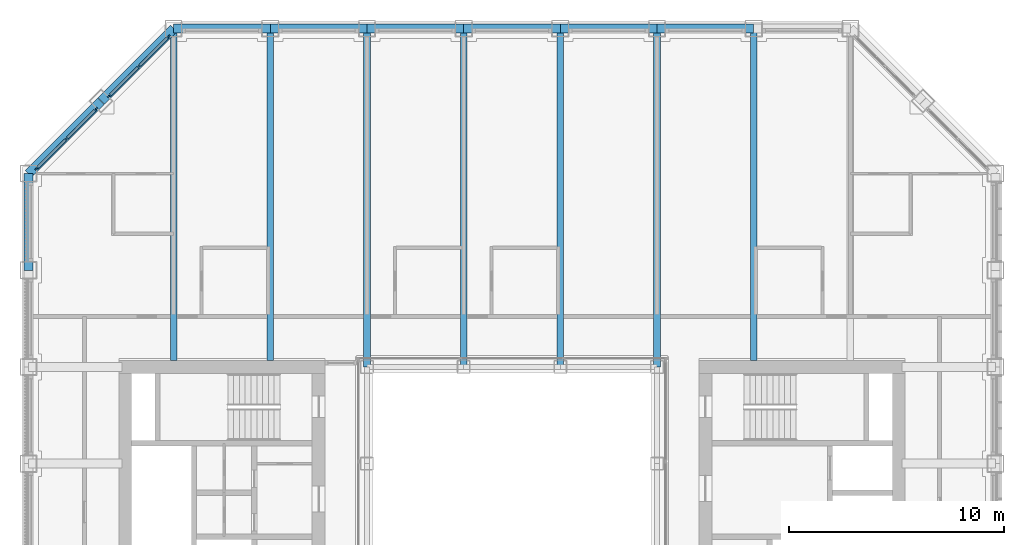
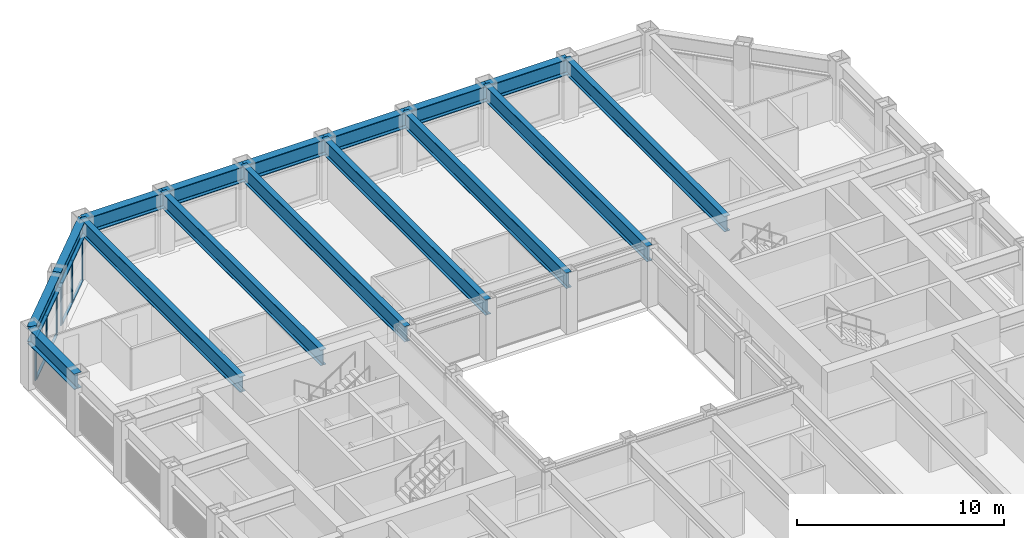
# One storey, part 7 of 17: 16 beams, 14 members, 2 elements without a shape of their own.
"""IFC4 building model written with IfcOpenShell, lengths in metres."""

from ifc_helpers import new_model, si_unit, direction, frame, origin, origin_2d, place, context, subcontext, project, spatial, rectangle, i_section, extrude, material, material_profile, profile_set, type_object, element, aggregate, save


model = new_model("IFC4")

# Units and contexts
model_context = context("Model", 3, precision=1e-05, world=origin(), true_north=direction((0.0, 1.0)))
body_context = subcontext(model_context, "Body", "Model", "MODEL_VIEW")
ifc_project = project(units=[si_unit("LENGTHUNIT", "METRE"), si_unit("AREAUNIT", "SQUARE_METRE"), si_unit("VOLUMEUNIT", "CUBIC_METRE"), si_unit("PLANEANGLEUNIT", "RADIAN"), si_unit("MASSUNIT", "GRAM", prefix="KILO")], contexts=[model_context])

# Site, building, storey
site_placement = place(None, origin())
site = spatial("IfcSite", under=ifc_project, at=site_placement, CompositionType="ELEMENT")
building_placement = place(site_placement, origin())
building = spatial("IfcBuilding", under=site, at=building_placement, Name="Msasa Ring Tower", CompositionType="ELEMENT")
storey_placement = place(building_placement, frame((0.0, 0.0, 168.800048828125)))
storey = spatial("IfcBuildingStorey", under=building, at=storey_placement, Name="L44", CompositionType="ELEMENT", Elevation=168.800048828125)

# Curtain wall, members
ifc_material_1 = material(Name="Aluminium curtain wall with clear glass", Category="aluminium")
curtain_wall_type = type_object("IfcCurtainWallType", Name="CW-C CHAMFER CORNER CURTAIN WALL", PredefinedType="NOTDEFINED", material=ifc_material_1)
curtain_wall_1_placement = place(storey_placement, origin())
curtain_wall_1 = element("IfcCurtainWall", 1, at=curtain_wall_1_placement, inside=storey, type_object=curtain_wall_type, Name="Chamfer corner curtain wall NW L44", PredefinedType="NOTDEFINED")
ifc_material_2 = material(Name="Aluminium mullion", Category="aluminium")
ifc_material_profile_1 = material_profile(ifc_material_2, rectangle(XDim=0.06494140625, YDim=0.179931640625, at=origin_2d()), Name="AL 65x180")
ifc_profile_set_1 = profile_set([ifc_material_profile_1], Name="Aluminium mullion")
member_type_1 = type_object("IfcMemberType", Name="CW-C MULLION 65x180", PredefinedType="MULLION", material=ifc_profile_set_1)
member_1_placement = place(storey_placement, frame((-19.36376953125, 18.744873046875, 0.0), z_axis=(0.0, 0.0, 1.0), x_axis=(0.707106781187, -0.707106781187, 0.0)))
member_1 = element("IfcMember", 2, at=member_1_placement, type_object=member_type_1, Name="CW-C mullion 1", PredefinedType="MULLION", context=body_context, shape_type="SweptSolid", body=[
    extrude(rectangle(XDim=0.06494140625, YDim=0.179931640625, at=origin_2d()), origin(), (0.0, 0.0, 1.0), 2.47900390625),
])
member_2_placement = place(storey_placement, frame((-20.74169921875, 17.36669921875, 0.0), z_axis=(0.0, 0.0, 1.0), x_axis=(0.707106781187, -0.707106781187, 0.0)))
member_2 = element("IfcMember", 3, at=member_2_placement, type_object=member_type_1, Name="CW-C mullion 2", PredefinedType="MULLION", context=body_context, shape_type="SweptSolid", body=[
    extrude(rectangle(XDim=0.06494140625, YDim=0.179931640625, at=origin_2d()), origin(), (0.0, 0.0, 1.0), 2.47900390625),
])
member_3_placement = place(storey_placement, frame((-22.119873046875, 15.98876953125, 0.0), z_axis=(0.0, 0.0, 1.0), x_axis=(0.707106781187, -0.707106781187, 0.0)))
member_3 = element("IfcMember", 4, at=member_3_placement, type_object=member_type_1, Name="CW-C mullion 3", PredefinedType="MULLION", context=body_context, shape_type="SweptSolid", body=[
    extrude(rectangle(XDim=0.06494140625, YDim=0.179931640625, at=origin_2d()), origin(), (0.0, 0.0, 1.0), 2.47900390625),
])

curtain_wall_2_placement = place(storey_placement, origin())
curtain_wall_2 = element("IfcCurtainWall", 5, at=curtain_wall_2_placement, inside=storey, type_object=curtain_wall_type, Name="Chamfer corner curtain wall NW L44", PredefinedType="NOTDEFINED")
member_4_placement = place(storey_placement, frame((-15.98876953125, 22.119873046875, 0.0), z_axis=(0.0, 0.0, 1.0), x_axis=(0.707106781187, -0.707106781187, 0.0)))
member_4 = element("IfcMember", 6, at=member_4_placement, type_object=member_type_1, Name="CW-C mullion 1", PredefinedType="MULLION", context=body_context, shape_type="SweptSolid", body=[
    extrude(rectangle(XDim=0.06494140625, YDim=0.179931640625, at=origin_2d()), origin(), (0.0, 0.0, 1.0), 2.47900390625),
])
member_5_placement = place(storey_placement, frame((-17.36669921875, 20.74169921875, 0.0), z_axis=(0.0, 0.0, 1.0), x_axis=(0.707106781187, -0.707106781187, 0.0)))
member_5 = element("IfcMember", 7, at=member_5_placement, type_object=member_type_1, Name="CW-C mullion 2", PredefinedType="MULLION", context=body_context, shape_type="SweptSolid", body=[
    extrude(rectangle(XDim=0.06494140625, YDim=0.179931640625, at=origin_2d()), origin(), (0.0, 0.0, 1.0), 2.47900390625),
])
member_6_placement = place(storey_placement, frame((-18.744873046875, 19.36376953125, 0.0), z_axis=(0.0, 0.0, 1.0), x_axis=(0.707106781187, -0.707106781187, 0.0)))
member_6 = element("IfcMember", 8, at=member_6_placement, type_object=member_type_1, Name="CW-C mullion 3", PredefinedType="MULLION", context=body_context, shape_type="SweptSolid", body=[
    extrude(rectangle(XDim=0.06494140625, YDim=0.179931640625, at=origin_2d()), origin(), (0.0, 0.0, 1.0), 2.47900390625),
])

# Member
ifc_material_3 = material(Name="Aluminium transom", Category="aluminium")
ifc_material_profile_2 = material_profile(ifc_material_3, rectangle(XDim=0.139892578125, YDim=0.06494140625, at=origin_2d()), Name="AL 65x140")
ifc_profile_set_2 = profile_set([ifc_material_profile_2], Name="Aluminium transom")
member_type_2 = type_object("IfcMemberType", Name="CW-C TRANSOM 65x140", PredefinedType="USERDEFINED", material=ifc_profile_set_2)
member_7_placement = place(storey_placement, frame((-19.38671875, 18.721923828125, 0.032470703125), z_axis=(-0.707106781187, -0.707106781187, 0.0), x_axis=(0.707106781187, -0.707106781187, 0.0)))
member_7 = element("IfcMember", 9, at=member_7_placement, type_object=member_type_2, Name="CW-C transom 1.1", ObjectType="TRANSOM", PredefinedType="USERDEFINED", context=body_context, shape_type="SweptSolid", body=[
    extrude(rectangle(XDim=0.139892578125, YDim=0.06494140625, at=origin_2d()), origin(), (0.0, 0.0, 1.0), 1.8837890625),
])

member_8_placement = place(storey_placement, frame((-19.38671875, 18.721923828125, 2.446533203125), z_axis=(-0.707106781187, -0.707106781187, 0.0), x_axis=(0.707106781187, -0.707106781187, 0.0)))
member_8 = element("IfcMember", 10, at=member_8_placement, type_object=member_type_2, Name="CW-C transom 1.2", ObjectType="TRANSOM", PredefinedType="USERDEFINED", context=body_context, shape_type="SweptSolid", body=[
    extrude(rectangle(XDim=0.139892578125, YDim=0.06494140625, at=origin_2d()), origin(), (0.0, 0.0, 1.0), 1.8837890625),
])

member_9_placement = place(storey_placement, frame((-20.764892578125, 17.34375, 0.032470703125), z_axis=(-0.707106781187, -0.707106781187, 0.0), x_axis=(0.707106781187, -0.707106781187, 0.0)))
member_9 = element("IfcMember", 11, at=member_9_placement, type_object=member_type_2, Name="CW-C transom 2.1", ObjectType="TRANSOM", PredefinedType="USERDEFINED", context=body_context, shape_type="SweptSolid", body=[
    extrude(rectangle(XDim=0.139892578125, YDim=0.06494140625, at=origin_2d()), origin(), (0.0, 0.0, 1.0), 1.8837890625),
])

member_10_placement = place(storey_placement, frame((-20.764892578125, 17.34375, 2.446533203125), z_axis=(-0.707106781187, -0.707106781187, 0.0), x_axis=(0.707106781187, -0.707106781187, 0.0)))
member_10 = element("IfcMember", 12, at=member_10_placement, type_object=member_type_2, Name="CW-C transom 2.2", ObjectType="TRANSOM", PredefinedType="USERDEFINED", context=body_context, shape_type="SweptSolid", body=[
    extrude(rectangle(XDim=0.139892578125, YDim=0.06494140625, at=origin_2d()), origin(), (0.0, 0.0, 1.0), 1.8837890625),
])

aggregate(curtain_wall_1, [member_1, member_2, member_3, member_7, member_8, member_9, member_10])

member_11_placement = place(storey_placement, frame((-16.01171875, 22.096923828125, 0.032470703125), z_axis=(-0.707106781187, -0.707106781187, 0.0), x_axis=(0.707106781187, -0.707106781187, 0.0)))
member_11 = element("IfcMember", 13, at=member_11_placement, type_object=member_type_2, Name="CW-C transom 1.1", ObjectType="TRANSOM", PredefinedType="USERDEFINED", context=body_context, shape_type="SweptSolid", body=[
    extrude(rectangle(XDim=0.139892578125, YDim=0.06494140625, at=origin_2d()), origin(), (0.0, 0.0, 1.0), 1.8837890625),
])

member_12_placement = place(storey_placement, frame((-16.01171875, 22.096923828125, 2.446533203125), z_axis=(-0.707106781187, -0.707106781187, 0.0), x_axis=(0.707106781187, -0.707106781187, 0.0)))
member_12 = element("IfcMember", 14, at=member_12_placement, type_object=member_type_2, Name="CW-C transom 1.2", ObjectType="TRANSOM", PredefinedType="USERDEFINED", context=body_context, shape_type="SweptSolid", body=[
    extrude(rectangle(XDim=0.139892578125, YDim=0.06494140625, at=origin_2d()), origin(), (0.0, 0.0, 1.0), 1.8837890625),
])

member_13_placement = place(storey_placement, frame((-17.389892578125, 20.71875, 0.032470703125), z_axis=(-0.707106781187, -0.707106781187, 0.0), x_axis=(0.707106781187, -0.707106781187, 0.0)))
member_13 = element("IfcMember", 15, at=member_13_placement, type_object=member_type_2, Name="CW-C transom 2.1", ObjectType="TRANSOM", PredefinedType="USERDEFINED", context=body_context, shape_type="SweptSolid", body=[
    extrude(rectangle(XDim=0.139892578125, YDim=0.06494140625, at=origin_2d()), origin(), (0.0, 0.0, 1.0), 1.8837890625),
])

member_14_placement = place(storey_placement, frame((-17.389892578125, 20.71875, 2.446533203125), z_axis=(-0.707106781187, -0.707106781187, 0.0), x_axis=(0.707106781187, -0.707106781187, 0.0)))
member_14 = element("IfcMember", 16, at=member_14_placement, type_object=member_type_2, Name="CW-C transom 2.2", ObjectType="TRANSOM", PredefinedType="USERDEFINED", context=body_context, shape_type="SweptSolid", body=[
    extrude(rectangle(XDim=0.139892578125, YDim=0.06494140625, at=origin_2d()), origin(), (0.0, 0.0, 1.0), 1.8837890625),
])

aggregate(curtain_wall_2, [member_4, member_5, member_6, member_11, member_12, member_13, member_14])

# Beams
ifc_material_4 = material(Name="Steel S355", Category="steel")
ifc_material_profile_3 = material_profile(ifc_material_4, i_section(OverallWidth=0.3076171875, OverallDepth=0.926513671875, WebThickness=0.01953125, FlangeThickness=0.031982421875, FilletRadius=0.01904296875, at=origin_2d()), Name="UB 914x305x289")
ifc_profile_set_3 = profile_set([ifc_material_profile_3], Name="Steel S355")
beam_type_1 = type_object("IfcBeamType", Name="FB3 UB 914x305x289", PredefinedType="BEAM", material=ifc_profile_set_3)
for number, where, z_axis, x_axis, name in (
    (17, (-15.75, 22.5, 2.936767578125), (0.0, -1.0, 0.0), (1.0, 0.0, 0.0), "Floor beam N-15.75 under L45"),
    (18, (-11.25, 22.5, 2.936767578125), (0.0, -1.0, 0.0), (1.0, 0.0, 0.0), "Floor beam N-11.25 under L45"),
):
    element("IfcBeam", number, at=place(storey_placement, frame(where, z_axis=z_axis, x_axis=x_axis)), inside=storey, type_object=beam_type_1, Name=name, PredefinedType="BEAM", context=body_context, shape_type="SweptSolid", body=[
        extrude(i_section(OverallWidth=0.3076171875, OverallDepth=0.926513671875, WebThickness=0.01953125, FlangeThickness=0.031982421875, FilletRadius=0.01904296875, at=origin_2d()), origin(), (0.0, 0.0, 1.0), 15.449951171875),
    ])
for number, where, z_axis, x_axis, name in (
    (19, (-6.75, 22.5, 2.936767578125), (0.0, -1.0, 0.0), (1.0, 0.0, 0.0), "Floor beam N-6.75 under L45"),
    (20, (-2.25, 22.5, 2.936767578125), (0.0, -1.0, 0.0), (1.0, 0.0, 0.0), "Floor beam N-2.25 under L45"),
    (21, (2.25, 22.5, 2.936767578125), (0.0, -1.0, 0.0), (1.0, 0.0, 0.0), "Floor beam N+2.25 under L45"),
    (22, (6.75, 22.5, 2.936767578125), (0.0, -1.0, 0.0), (1.0, 0.0, 0.0), "Floor beam N+6.75 under L45"),
):
    element("IfcBeam", number, at=place(storey_placement, frame(where, z_axis=z_axis, x_axis=x_axis)), inside=storey, type_object=beam_type_1, Name=name, PredefinedType="BEAM", context=body_context, shape_type="SweptSolid", body=[
        extrude(i_section(OverallWidth=0.3076171875, OverallDepth=0.926513671875, WebThickness=0.01953125, FlangeThickness=0.031982421875, FilletRadius=0.01904296875, at=origin_2d()), origin(), (0.0, 0.0, 1.0), 15.75),
    ])
beam_1_placement = place(storey_placement, frame((11.25, 22.5, 2.936767578125), z_axis=(0.0, -1.0, 0.0), x_axis=(1.0, 0.0, 0.0)))
element("IfcBeam", 23, at=beam_1_placement, inside=storey, type_object=beam_type_1, Name="Floor beam N+11.25 under L45", PredefinedType="BEAM", context=body_context, shape_type="SweptSolid", body=[
    extrude(i_section(OverallWidth=0.3076171875, OverallDepth=0.926513671875, WebThickness=0.01953125, FlangeThickness=0.031982421875, FilletRadius=0.01904296875, at=origin_2d()), origin(), (0.0, 0.0, 1.0), 15.449951171875),
])
ifc_material_5 = material(Name="Steel S355", Category="steel")
ifc_material_profile_4 = material_profile(ifc_material_5, i_section(OverallWidth=0.42041015625, OverallDepth=0.9208984375, WebThickness=0.021484375, FlangeThickness=0.03662109375, FilletRadius=0.024169921875, at=origin_2d()), Name="UB 914x419x388")
ifc_profile_set_4 = profile_set([ifc_material_profile_4], Name="Steel S355")
beam_type_2 = type_object("IfcBeamType", Name="SB1 UB 914x419x388", PredefinedType="SPANDREL", material=ifc_profile_set_4)
for number, where, z_axis, x_axis, name in (
    (24, (11.25, 22.5, 2.939453125), (-1.0, 0.0, 0.0), (0.0, -1.0, 0.0), "Spandrel N+11.25 to N+6.75 under L45"),
    (25, (6.75, 22.5, 2.939453125), (-1.0, 0.0, 0.0), (0.0, -1.0, 0.0), "Spandrel N+6.75 to N+2.25 under L45"),
    (26, (2.25, 22.5, 2.939453125), (-1.0, 0.0, 0.0), (0.0, -1.0, 0.0), "Spandrel N+2.25 to N-2.25 under L45"),
    (27, (-2.25, 22.5, 2.939453125), (-1.0, 0.0, 0.0), (0.0, -1.0, 0.0), "Spandrel N-2.25 to N-6.75 under L45"),
    (28, (-6.75, 22.5, 2.939453125), (-1.0, 0.0, 0.0), (0.0, -1.0, 0.0), "Spandrel N-6.75 to N-11.25 under L45"),
    (29, (-11.25, 22.5, 2.939453125), (-1.0, 0.0, 0.0), (0.0, -1.0, 0.0), "Spandrel N-11.25 to N-15.75 under L45"),
):
    element("IfcBeam", number, at=place(storey_placement, frame(where, z_axis=z_axis, x_axis=x_axis)), inside=storey, type_object=beam_type_2, Name=name, PredefinedType="SPANDREL", context=body_context, shape_type="SweptSolid", body=[
        extrude(i_section(OverallWidth=0.42041015625, OverallDepth=0.9208984375, WebThickness=0.021484375, FlangeThickness=0.03662109375, FilletRadius=0.024169921875, at=origin_2d()), origin(), (0.0, 0.0, 1.0), 4.5),
    ])
for number, where, z_axis, x_axis, name in (
    (30, (-15.75, 22.5, 2.939453125), (-0.707106781187, -0.707106781187, 0.0), (0.707106781187, -0.707106781187, 0.0), "Spandrel N-15.75 to NW under L45"),
    (31, (-19.125, 19.125, 2.939453125), (-0.707106781187, -0.707106781187, 0.0), (0.707106781187, -0.707106781187, 0.0), "Spandrel NW to W+15.75 under L45"),
):
    element("IfcBeam", number, at=place(storey_placement, frame(where, z_axis=z_axis, x_axis=x_axis)), inside=storey, type_object=beam_type_2, Name=name, PredefinedType="SPANDREL", context=body_context, shape_type="SweptSolid", body=[
        extrude(i_section(OverallWidth=0.42041015625, OverallDepth=0.9208984375, WebThickness=0.021484375, FlangeThickness=0.03662109375, FilletRadius=0.024169921875, at=origin_2d()), origin(), (0.0, 0.0, 1.0), 4.77294921875),
    ])
beam_2_placement = place(storey_placement, frame((-22.5, 15.75, 2.939453125), z_axis=(0.0, -1.0, 0.0), x_axis=(1.0, 0.0, 0.0)))
element("IfcBeam", 32, at=beam_2_placement, inside=storey, type_object=beam_type_2, Name="Spandrel W+15.75 to W+11.25 under L45", PredefinedType="SPANDREL", context=body_context, shape_type="SweptSolid", body=[
    extrude(i_section(OverallWidth=0.42041015625, OverallDepth=0.9208984375, WebThickness=0.021484375, FlangeThickness=0.03662109375, FilletRadius=0.024169921875, at=origin_2d()), origin(), (0.0, 0.0, 1.0), 4.5),
])

save(model, "model.ifc")
